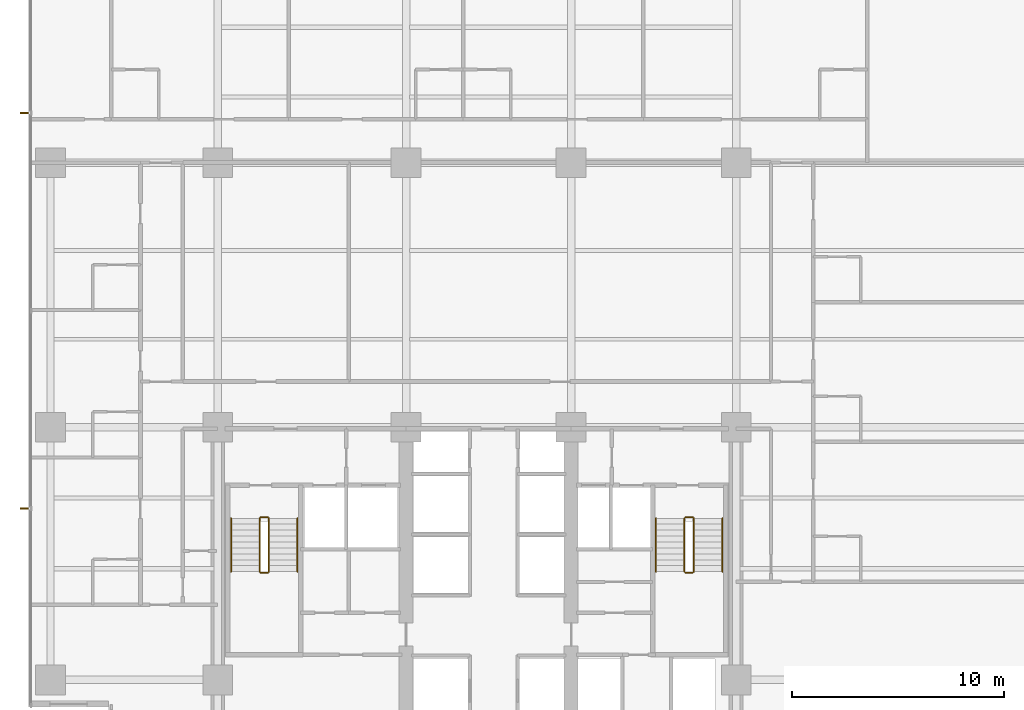
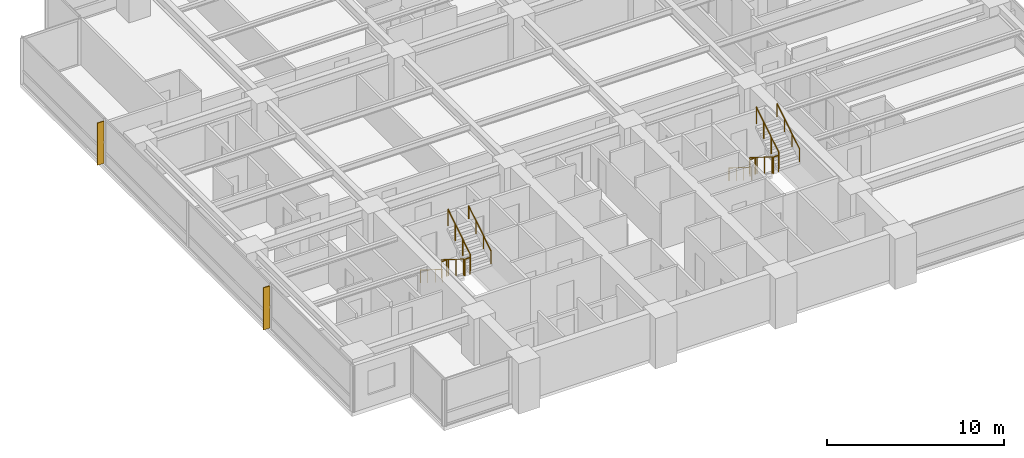
# One storey, part 15 of 16: 12 railings, 2 shading devices.
"""IFC4 building model written with IfcOpenShell, lengths in metres."""

from ifc_helpers import new_model, si_unit, direction, frame, origin, origin_2d, place, context, subcontext, project, spatial, polyline, circle, outline, extrude, material, layer, layer_set, type_object, element, save


model = new_model("IFC4")

# Units and contexts
model_context = context("Model", 3, precision=1e-05, world=origin(), true_north=direction((0.0, 1.0)))
body_context = subcontext(model_context, "Body", "Model", "MODEL_VIEW")
ifc_project = project(units=[si_unit("LENGTHUNIT", "METRE"), si_unit("AREAUNIT", "SQUARE_METRE"), si_unit("VOLUMEUNIT", "CUBIC_METRE"), si_unit("PLANEANGLEUNIT", "RADIAN"), si_unit("MASSUNIT", "GRAM", prefix="KILO")], contexts=[model_context])

# Site, building, storey
site_placement = place(None, origin())
site = spatial("IfcSite", under=ifc_project, at=site_placement, CompositionType="ELEMENT")
building_placement = place(site_placement, origin())
building = spatial("IfcBuilding", under=site, at=building_placement, Name="Qalmaran Belvedere Hotel", CompositionType="ELEMENT")
storey_placement = place(building_placement, frame((0.0, 0.0, 71.89990234375)))
storey = spatial("IfcBuildingStorey", under=building, at=storey_placement, Name="L18", CompositionType="ELEMENT", Elevation=71.89990234375)

# Shading devices
ifc_material_1 = material(Name="Anodised Bronze Aluminium", Category="aluminium")
ifc_layer = layer(ifc_material_1, 0.06494140625, Name="Anodised Bronze Aluminium")
ifc_layer_set = layer_set([ifc_layer], Name="Anodised Bronze Aluminium")
shading_device_type = type_object("IfcShadingDeviceType", Name="FIN-BRNZ-420", PredefinedType="USERDEFINED", material=ifc_layer_set)
shading_device_1_placement = place(storey_placement, frame((0.0, 0.0, 0.16015625)))
element("IfcShadingDevice", 1, at=shading_device_1_placement, inside=storey, type_object=shading_device_type, Name="L18 Bronze Fin 1", ObjectType="FIN", PredefinedType="USERDEFINED", context=body_context, shape_type="SweptSolid", body=[
    extrude(outline(polyline([(11.37744140625, 35.382568359375), (10.95751953125, 35.382568359375), (10.95751953125, 35.3173828125), (11.37744140625, 35.3173828125), (11.37744140625, 35.382568359375)])), origin(), (0.0, 0.0, 1.0), 2.89990234375),
])
shading_device_2_placement = place(storey_placement, frame((0.0, 0.0, 0.16015625)))
element("IfcShadingDevice", 2, at=shading_device_2_placement, inside=storey, type_object=shading_device_type, Name="L18 Bronze Fin 3", ObjectType="FIN", PredefinedType="USERDEFINED", context=body_context, shape_type="SweptSolid", body=[
    extrude(outline(polyline([(11.37744140625, 16.6826171875), (10.95751953125, 16.6826171875), (10.95751953125, 16.617431640625), (11.37744140625, 16.617431640625), (11.37744140625, 16.6826171875)])), origin(), (0.0, 0.0, 1.0), 2.89990234375),
])

# Railings
ifc_material_2 = material(Name="Stainless Steel 1.4401", Category="steel")
railing_type_1 = type_object("IfcRailingType", Name="RLG-STAIR-GUARD-1150", PredefinedType="GUARDRAIL", material=ifc_material_2)
railing_1_placement = place(storey_placement, frame((22.280029296875, 16.18994140625, 0.175048828125)))
element("IfcRailing", 3, at=railing_1_placement, inside=storey, type_object=railing_type_1, Name="L18 ST-1 stair guard 1", PredefinedType="GUARDRAIL", context=body_context, shape_type="SweptSolid", body=[
    extrude(circle(Radius=0.02392578125, at=origin_2d()), frame((0.0, 0.0, 1.1259765625), z_axis=(0.0, -0.848007534815, 0.529984170421), x_axis=(1.0, 0.0, 0.0)), (0.0, 0.0, 1.0), 2.9716796875),
    extrude(circle(Radius=0.02099609375, at=origin_2d()), origin(), (0.0, 0.0, 1.0), 1.101806640625),
    extrude(circle(Radius=0.02099609375, at=origin_2d()), frame((0.0, -0.840087890625, 0.52490234375)), (0.0, 0.0, 1.0), 1.101806640625),
    extrude(circle(Radius=0.02099609375, at=origin_2d()), frame((0.0, -1.679931640625, 1.050048828125)), (0.0, 0.0, 1.0), 1.101806640625),
    extrude(circle(Radius=0.02099609375, at=origin_2d()), frame((0.0, -2.52001953125, 1.574951171875)), (0.0, 0.0, 1.0), 1.101806640625),
])
railing_2_placement = place(storey_placement, frame((22.330078125, 13.6201171875, 1.75)))
element("IfcRailing", 4, at=railing_2_placement, inside=storey, type_object=railing_type_1, Name="L18 ST-1 stair guard 2", PredefinedType="GUARDRAIL", context=body_context, shape_type="SweptSolid", body=[
    extrude(circle(Radius=0.02392578125, at=origin_2d()), frame((0.0, 0.0, 1.1259765625), z_axis=(1.0, 0.0, 0.0), x_axis=(0.0, 1.0, 0.0)), (0.0, 0.0, 1.0), 0.33984375),
    extrude(circle(Radius=0.02099609375, at=origin_2d()), origin(), (0.0, 0.0, 1.0), 1.101806640625),
    extrude(circle(Radius=0.02099609375, at=origin_2d()), frame((0.33984375, 0.0, 0.0)), (0.0, 0.0, 1.0), 1.101806640625),
])
railing_3_placement = place(storey_placement, frame((22.719970703125, 13.669921875, 1.925048828125)))
element("IfcRailing", 5, at=railing_3_placement, inside=storey, type_object=railing_type_1, Name="L18 ST-1 stair guard 3", PredefinedType="GUARDRAIL", context=body_context, shape_type="SweptSolid", body=[
    extrude(circle(Radius=0.02392578125, at=origin_2d()), frame((0.0, 0.0, 1.1259765625), z_axis=(0.0, 0.848007534815, 0.529984170421), x_axis=(-1.0, 0.0, 0.0)), (0.0, 0.0, 1.0), 2.9716796875),
    extrude(circle(Radius=0.02099609375, at=origin_2d()), origin(), (0.0, 0.0, 1.0), 1.101806640625),
    extrude(circle(Radius=0.02099609375, at=origin_2d()), frame((0.0, 0.840087890625, 0.52490234375)), (0.0, 0.0, 1.0), 1.101806640625),
    extrude(circle(Radius=0.02099609375, at=origin_2d()), frame((0.0, 1.679931640625, 1.050048828125)), (0.0, 0.0, 1.0), 1.101806640625),
    extrude(circle(Radius=0.02099609375, at=origin_2d()), frame((0.0, 2.52001953125, 1.574951171875)), (0.0, 0.0, 1.0), 1.101806640625),
])
railing_4_placement = place(storey_placement, frame((22.330078125, 16.239990234375, 0.0)))
element("IfcRailing", 6, at=railing_4_placement, inside=storey, type_object=railing_type_1, Name="L18 ST-1 stair guard 4", PredefinedType="GUARDRAIL", context=body_context, shape_type="SweptSolid", body=[
    extrude(circle(Radius=0.02392578125, at=origin_2d()), frame((0.0, 0.0, 1.1259765625), z_axis=(1.0, 0.0, 0.0), x_axis=(0.0, 1.0, 0.0)), (0.0, 0.0, 1.0), 0.33984375),
    extrude(circle(Radius=0.02099609375, at=origin_2d()), origin(), (0.0, 0.0, 1.0), 1.101806640625),
    extrude(circle(Radius=0.02099609375, at=origin_2d()), frame((0.33984375, 0.0, 0.0)), (0.0, 0.0, 1.0), 1.101806640625),
])
railing_5_placement = place(storey_placement, frame((42.360107421875, 16.18994140625, 0.175048828125)))
element("IfcRailing", 7, at=railing_5_placement, inside=storey, type_object=railing_type_1, Name="L18 ST-2 stair guard 1", PredefinedType="GUARDRAIL", context=body_context, shape_type="SweptSolid", body=[
    extrude(circle(Radius=0.02392578125, at=origin_2d()), frame((0.0, 0.0, 1.1259765625), z_axis=(0.0, -0.848007534815, 0.529984170421), x_axis=(1.0, 0.0, 0.0)), (0.0, 0.0, 1.0), 2.9716796875),
    extrude(circle(Radius=0.02099609375, at=origin_2d()), origin(), (0.0, 0.0, 1.0), 1.101806640625),
    extrude(circle(Radius=0.02099609375, at=origin_2d()), frame((0.0, -0.840087890625, 0.52490234375)), (0.0, 0.0, 1.0), 1.101806640625),
    extrude(circle(Radius=0.02099609375, at=origin_2d()), frame((0.0, -1.679931640625, 1.050048828125)), (0.0, 0.0, 1.0), 1.101806640625),
    extrude(circle(Radius=0.02099609375, at=origin_2d()), frame((0.0, -2.52001953125, 1.574951171875)), (0.0, 0.0, 1.0), 1.101806640625),
])
railing_6_placement = place(storey_placement, frame((42.409912109375, 13.6201171875, 1.75)))
element("IfcRailing", 8, at=railing_6_placement, inside=storey, type_object=railing_type_1, Name="L18 ST-2 stair guard 2", PredefinedType="GUARDRAIL", context=body_context, shape_type="SweptSolid", body=[
    extrude(circle(Radius=0.02392578125, at=origin_2d()), frame((0.0, 0.0, 1.1259765625), z_axis=(1.0, 0.0, 0.0), x_axis=(0.0, 1.0, 0.0)), (0.0, 0.0, 1.0), 0.340087890625),
    extrude(circle(Radius=0.02099609375, at=origin_2d()), origin(), (0.0, 0.0, 1.0), 1.101806640625),
    extrude(circle(Radius=0.02099609375, at=origin_2d()), frame((0.340087890625, 0.0, 0.0)), (0.0, 0.0, 1.0), 1.101806640625),
])
railing_7_placement = place(storey_placement, frame((42.800048828125, 13.669921875, 1.925048828125)))
element("IfcRailing", 9, at=railing_7_placement, inside=storey, type_object=railing_type_1, Name="L18 ST-2 stair guard 3", PredefinedType="GUARDRAIL", context=body_context, shape_type="SweptSolid", body=[
    extrude(circle(Radius=0.02392578125, at=origin_2d()), frame((0.0, 0.0, 1.1259765625), z_axis=(0.0, 0.848007534815, 0.529984170421), x_axis=(-1.0, 0.0, 0.0)), (0.0, 0.0, 1.0), 2.9716796875),
    extrude(circle(Radius=0.02099609375, at=origin_2d()), origin(), (0.0, 0.0, 1.0), 1.101806640625),
    extrude(circle(Radius=0.02099609375, at=origin_2d()), frame((0.0, 0.840087890625, 0.52490234375)), (0.0, 0.0, 1.0), 1.101806640625),
    extrude(circle(Radius=0.02099609375, at=origin_2d()), frame((0.0, 1.679931640625, 1.050048828125)), (0.0, 0.0, 1.0), 1.101806640625),
    extrude(circle(Radius=0.02099609375, at=origin_2d()), frame((0.0, 2.52001953125, 1.574951171875)), (0.0, 0.0, 1.0), 1.101806640625),
])
railing_8_placement = place(storey_placement, frame((42.409912109375, 16.239990234375, 0.0)))
element("IfcRailing", 10, at=railing_8_placement, inside=storey, type_object=railing_type_1, Name="L18 ST-2 stair guard 4", PredefinedType="GUARDRAIL", context=body_context, shape_type="SweptSolid", body=[
    extrude(circle(Radius=0.02392578125, at=origin_2d()), frame((0.0, 0.0, 1.1259765625), z_axis=(1.0, 0.0, 0.0), x_axis=(0.0, 1.0, 0.0)), (0.0, 0.0, 1.0), 0.340087890625),
    extrude(circle(Radius=0.02099609375, at=origin_2d()), origin(), (0.0, 0.0, 1.0), 1.101806640625),
    extrude(circle(Radius=0.02099609375, at=origin_2d()), frame((0.340087890625, 0.0, 0.0)), (0.0, 0.0, 1.0), 1.101806640625),
])
railing_type_2 = type_object("IfcRailingType", Name="RLG-STAIR-HAND-910", PredefinedType="HANDRAIL", material=ifc_material_2)
railing_9_placement = place(storey_placement, frame((20.929931640625, 16.18994140625, 0.175048828125)))
element("IfcRailing", 11, at=railing_9_placement, inside=storey, type_object=railing_type_2, Name="L18 ST-1 stair handrail 1", PredefinedType="HANDRAIL", context=body_context, shape_type="SweptSolid", body=[
    extrude(circle(Radius=0.02392578125, at=origin_2d()), frame((0.0, 0.0, 0.8857421875), z_axis=(0.0, -0.848007534815, 0.529984170421), x_axis=(1.0, 0.0, 0.0)), (0.0, 0.0, 1.0), 2.9716796875),
    extrude(circle(Radius=0.02099609375, at=origin_2d()), origin(), (0.0, 0.0, 1.0), 0.86181640625),
    extrude(circle(Radius=0.02099609375, at=origin_2d()), frame((0.0, -0.840087890625, 0.52490234375)), (0.0, 0.0, 1.0), 0.86181640625),
    extrude(circle(Radius=0.02099609375, at=origin_2d()), frame((0.0, -1.679931640625, 1.050048828125)), (0.0, 0.0, 1.0), 0.86181640625),
    extrude(circle(Radius=0.02099609375, at=origin_2d()), frame((0.0, -2.52001953125, 1.574951171875)), (0.0, 0.0, 1.0), 0.86181640625),
])
railing_10_placement = place(storey_placement, frame((24.070068359375, 13.669921875, 1.925048828125)))
element("IfcRailing", 12, at=railing_10_placement, inside=storey, type_object=railing_type_2, Name="L18 ST-1 stair handrail 2", PredefinedType="HANDRAIL", context=body_context, shape_type="SweptSolid", body=[
    extrude(circle(Radius=0.02392578125, at=origin_2d()), frame((0.0, 0.0, 0.8857421875), z_axis=(0.0, 0.848007534815, 0.529984170421), x_axis=(-1.0, 0.0, 0.0)), (0.0, 0.0, 1.0), 2.9716796875),
    extrude(circle(Radius=0.02099609375, at=origin_2d()), origin(), (0.0, 0.0, 1.0), 0.86181640625),
    extrude(circle(Radius=0.02099609375, at=origin_2d()), frame((0.0, 0.840087890625, 0.52490234375)), (0.0, 0.0, 1.0), 0.86181640625),
    extrude(circle(Radius=0.02099609375, at=origin_2d()), frame((0.0, 1.679931640625, 1.050048828125)), (0.0, 0.0, 1.0), 0.86181640625),
    extrude(circle(Radius=0.02099609375, at=origin_2d()), frame((0.0, 2.52001953125, 1.574951171875)), (0.0, 0.0, 1.0), 0.86181640625),
])
railing_11_placement = place(storey_placement, frame((41.010009765625, 16.18994140625, 0.175048828125)))
element("IfcRailing", 13, at=railing_11_placement, inside=storey, type_object=railing_type_2, Name="L18 ST-2 stair handrail 1", PredefinedType="HANDRAIL", context=body_context, shape_type="SweptSolid", body=[
    extrude(circle(Radius=0.02392578125, at=origin_2d()), frame((0.0, 0.0, 0.8857421875), z_axis=(0.0, -0.848007534815, 0.529984170421), x_axis=(1.0, 0.0, 0.0)), (0.0, 0.0, 1.0), 2.9716796875),
    extrude(circle(Radius=0.02099609375, at=origin_2d()), origin(), (0.0, 0.0, 1.0), 0.86181640625),
    extrude(circle(Radius=0.02099609375, at=origin_2d()), frame((0.0, -0.840087890625, 0.52490234375)), (0.0, 0.0, 1.0), 0.86181640625),
    extrude(circle(Radius=0.02099609375, at=origin_2d()), frame((0.0, -1.679931640625, 1.050048828125)), (0.0, 0.0, 1.0), 0.86181640625),
    extrude(circle(Radius=0.02099609375, at=origin_2d()), frame((0.0, -2.52001953125, 1.574951171875)), (0.0, 0.0, 1.0), 0.86181640625),
])
railing_12_placement = place(storey_placement, frame((44.14990234375, 13.669921875, 1.925048828125)))
element("IfcRailing", 14, at=railing_12_placement, inside=storey, type_object=railing_type_2, Name="L18 ST-2 stair handrail 2", PredefinedType="HANDRAIL", context=body_context, shape_type="SweptSolid", body=[
    extrude(circle(Radius=0.02392578125, at=origin_2d()), frame((0.0, 0.0, 0.8857421875), z_axis=(0.0, 0.848007534815, 0.529984170421), x_axis=(-1.0, 0.0, 0.0)), (0.0, 0.0, 1.0), 2.9716796875),
    extrude(circle(Radius=0.02099609375, at=origin_2d()), origin(), (0.0, 0.0, 1.0), 0.86181640625),
    extrude(circle(Radius=0.02099609375, at=origin_2d()), frame((0.0, 0.840087890625, 0.52490234375)), (0.0, 0.0, 1.0), 0.86181640625),
    extrude(circle(Radius=0.02099609375, at=origin_2d()), frame((0.0, 1.679931640625, 1.050048828125)), (0.0, 0.0, 1.0), 0.86181640625),
    extrude(circle(Radius=0.02099609375, at=origin_2d()), frame((0.0, 2.52001953125, 1.574951171875)), (0.0, 0.0, 1.0), 0.86181640625),
])

save(model, "model.ifc")
